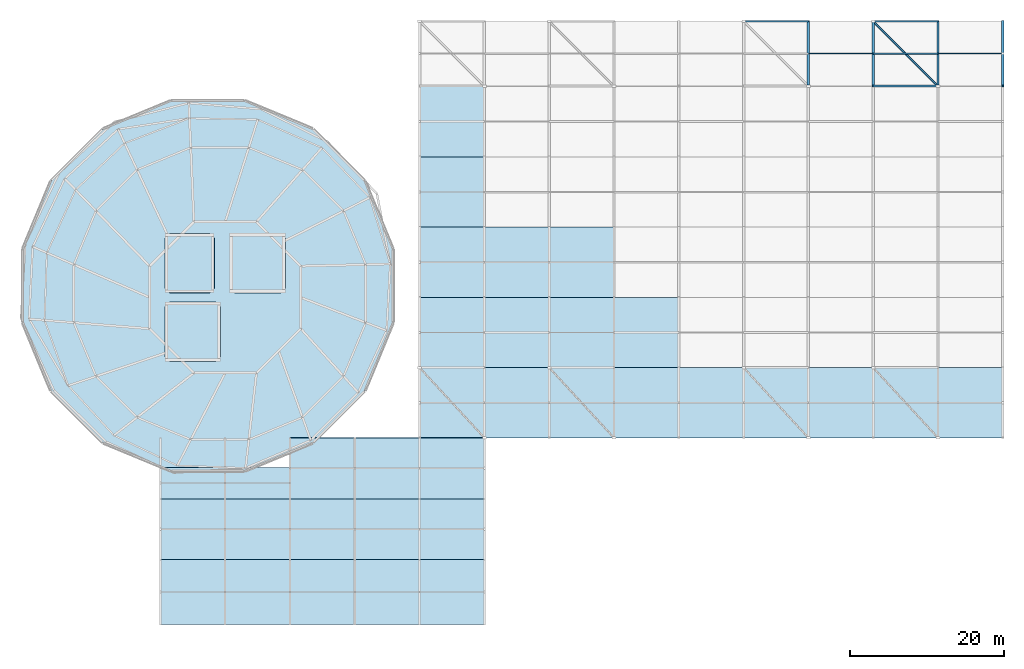
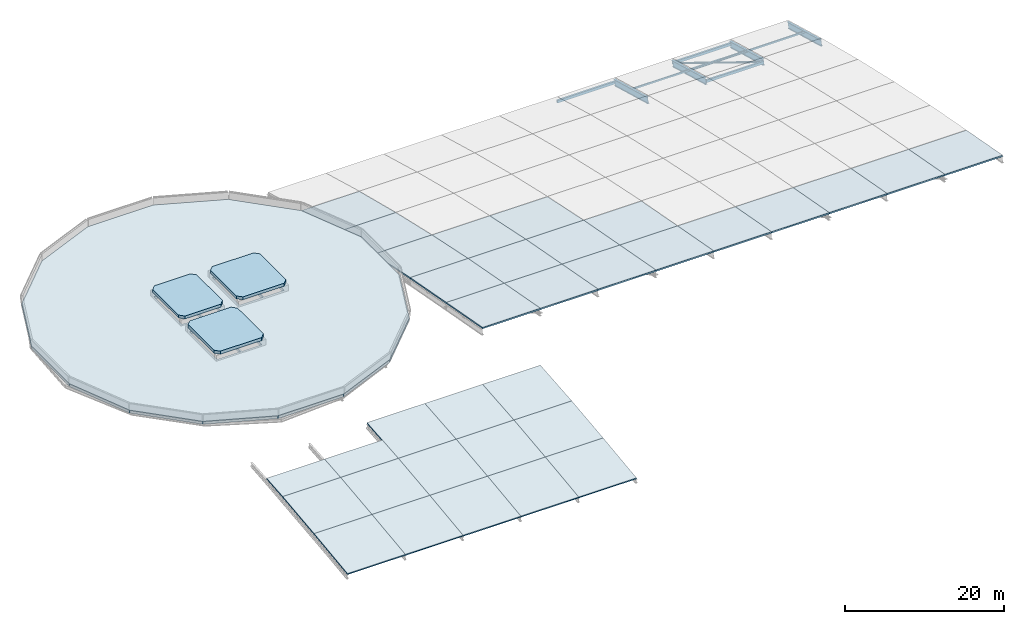
# One storey, part 5 of 12: 37 slabs, 7 members, 4 beams, 15 elements without a shape of their own.
"""IFC4 building model written with IfcOpenShell, lengths in metres."""

from ifc_helpers import new_model, si_unit, derived_unit, direction, frame, origin, origin_2d, place, context, subcontext, project, spatial, polyline, hollow_rectangle, hollow_circle, i_section, outline, extrude, material, layer, layer_set, material_profile, profile_set, type_object, element, aggregate, save


model = new_model("IFC4")

# Units and contexts
model_context = context("Model", 3, precision=1e-05, world=origin(), true_north=direction((0.0, 1.0)))
body_context = subcontext(model_context, "Body", "Model", "MODEL_VIEW")
ifc_project = project(units=[si_unit("LENGTHUNIT", "METRE"), si_unit("AREAUNIT", "SQUARE_METRE"), si_unit("VOLUMEUNIT", "CUBIC_METRE"), si_unit("PLANEANGLEUNIT", "RADIAN"), si_unit("MASSUNIT", "GRAM", prefix="KILO"), derived_unit("THERMALTRANSMITTANCEUNIT", [(si_unit("MASSUNIT", "GRAM", prefix="KILO"), 1), (si_unit("TIMEUNIT", "SECOND"), -3), (si_unit("THERMODYNAMICTEMPERATUREUNIT", "KELVIN"), -1)])], contexts=[model_context])

# Site, building, storey
site_placement = place(None, origin())
site = spatial("IfcSite", under=ifc_project, at=site_placement, CompositionType="ELEMENT")
building_placement = place(site_placement, origin())
building = spatial("IfcBuilding", under=site, at=building_placement, Name="Makaiwela Harbour Ferry Terminal", CompositionType="ELEMENT")
storey_placement = place(building_placement, frame((0.0, 0.0, 25.5)))
storey = spatial("IfcBuildingStorey", under=building, at=storey_placement, Name="ROOF", CompositionType="ELEMENT", Elevation=25.5)

# Beams
ifc_material_1 = material(Name="Steel ASTM A992 Grade 50", Category="steel")
ifc_material_profile_1 = material_profile(ifc_material_1, i_section(OverallWidth=0.306884765625, OverallDepth=0.927001953125, WebThickness=0.019287109375, FlangeThickness=0.031982421875, at=origin_2d()), Name="W36X194")
ifc_profile_set_1 = profile_set([ifc_material_profile_1], Name="Steel ASTM A992 Grade 50")
beam_type = type_object("IfcBeamType", Name="STR-ARC-W36X194", PredefinedType="USERDEFINED", material=ifc_profile_set_1)
for number, where, z_axis, x_axis, name in (
    (1, (113.39990234375, 103.39990234375, -12.99609375), (0.0, -0.963908615898, 0.266233319098), (1.0, 0.0, 0.0), "Departure vault arch rib 15-1"),
    (2, (121.800048828125, 103.39990234375, -12.99609375), (0.0, -0.963908615898, 0.266233319098), (1.0, 0.0, 0.0), "Departure vault arch rib 16-1"),
    (3, (130.199951171875, 103.39990234375, -12.99609375), (0.0, -0.963908615898, 0.266233319098), (1.0, 0.0, 0.0), "Departure vault arch rib 17-1"),
    (4, (138.60009765625, 103.39990234375, -12.99609375), (0.0, -0.963908615898, 0.266233319098), (1.0, 0.0, 0.0), "Departure vault arch rib 18-1"),
):
    element("IfcBeam", number, at=place(storey_placement, frame(where, z_axis=z_axis, x_axis=x_axis)), inside=storey, type_object=beam_type, Name=name, ObjectType="ARCH SEGMENT", PredefinedType="USERDEFINED", context=body_context, shape_type="SweptSolid", body=[
        extrude(i_section(OverallWidth=0.306884765625, OverallDepth=0.927001953125, WebThickness=0.019287109375, FlangeThickness=0.031982421875, at=origin_2d()), origin(), (0.0, 0.0, 1.0), 8.71435546875),
    ])

# Members
ifc_material_2 = material(Name="Steel ASTM A500 Grade C", Category="steel")
ifc_material_profile_2 = material_profile(ifc_material_2, hollow_circle(Radius=0.136474609375, WallThickness=0.0126953125, at=origin_2d()), Name="PIPE10XS")
ifc_profile_set_2 = profile_set([ifc_material_profile_2], Name="Steel ASTM A500 Grade C")
member_type_1 = type_object("IfcMemberType", Name="STR-BRC-PIPE10", PredefinedType="BRACE", material=ifc_profile_set_2)
member_1_placement = place(storey_placement, frame((121.800048828125, 103.39990234375, -12.99609375), z_axis=(0.693994870897, -0.693994870897, 0.191682650065), x_axis=(0.707106781187, 0.707106781187, 0.0)))
element("IfcMember", 5, at=member_1_placement, inside=storey, type_object=member_type_1, Name="Structural Member BR-04", PredefinedType="BRACE", context=body_context, shape_type="SweptSolid", body=[
    extrude(hollow_circle(Radius=0.136474609375, WallThickness=0.0126953125, at=origin_2d()), origin(), (0.0, 0.0, 1.0), 12.103759765625),
])
ifc_material_profile_3 = material_profile(ifc_material_2, hollow_rectangle(XDim=0.25390625, YDim=0.406005859375, WallThickness=0.01171875, at=origin_2d()), Name="HSS16X10X1/2")
ifc_profile_set_3 = profile_set([ifc_material_profile_3], Name="Steel ASTM A500 Grade C")
member_type_2 = type_object("IfcMemberType", Name="STR-CHD-HSS16", PredefinedType="CHORD", material=ifc_profile_set_3)
for number, where, z_axis, x_axis, name in (
    (6, (105.0, 103.39990234375, -12.99609375), (1.0, 0.0, 0.0), (0.0, 1.0, 0.0), "Structural Member CH-01"),
    (7, (121.800048828125, 103.39990234375, -12.99609375), (1.0, 0.0, 0.0), (0.0, 1.0, 0.0), "Structural Member CH-01"),
    (8, (121.800048828125, 95.0, -10.676025390625), (1.0, 0.0, 0.0), (0.0, 1.0, 0.0), "Structural Member CH-01"),
):
    element("IfcMember", number, at=place(storey_placement, frame(where, z_axis=z_axis, x_axis=x_axis)), inside=storey, type_object=member_type_2, Name=name, PredefinedType="CHORD", context=body_context, shape_type="SweptSolid", body=[
        extrude(hollow_rectangle(XDim=0.25390625, YDim=0.406005859375, WallThickness=0.01171875, at=origin_2d()), origin(), (0.0, 0.0, 1.0), 8.39990234375),
    ])
ifc_material_profile_4 = material_profile(ifc_material_2, hollow_rectangle(XDim=0.152099609375, YDim=0.25390625, WallThickness=0.0087890625, at=origin_2d()), Name="HSS10X6X3/8")
ifc_profile_set_4 = profile_set([ifc_material_profile_4], Name="Steel ASTM A500 Grade C")
member_type_3 = type_object("IfcMemberType", Name="STR-PRL-HSS10X6", PredefinedType="PURLIN", material=ifc_profile_set_4)
for number, where, z_axis, x_axis, name in (
    (9, (113.39990234375, 99.199951171875, -11.51953125), (1.0, 0.0, 0.0), (0.0, 1.0, 0.0), "Structural Member PR-01"),
    (10, (130.199951171875, 99.199951171875, -11.51953125), (1.0, 0.0, 0.0), (0.0, 1.0, 0.0), "Structural Member PR-01"),
):
    element("IfcMember", number, at=place(storey_placement, frame(where, z_axis=z_axis, x_axis=x_axis)), inside=storey, type_object=member_type_3, Name=name, PredefinedType="PURLIN", context=body_context, shape_type="SweptSolid", body=[
        extrude(hollow_rectangle(XDim=0.152099609375, YDim=0.25390625, WallThickness=0.0087890625, at=origin_2d()), origin(), (0.0, 0.0, 1.0), 8.400146484375),
    ])
ifc_material_profile_5 = material_profile(ifc_material_1, i_section(OverallWidth=0.205078125, OverallDepth=0.31005859375, WebThickness=0.009521484375, FlangeThickness=0.016357421875, at=origin_2d()), Name="W12X50")
ifc_profile_set_5 = profile_set([ifc_material_profile_5], Name="Steel ASTM A992 Grade 50")
member_type_4 = type_object("IfcMemberType", Name="STR-PRL-W12X50", PredefinedType="PURLIN", material=ifc_profile_set_5)
member_2_placement = place(storey_placement, frame((121.800048828125, 99.199951171875, -11.51953125), z_axis=(1.0, 0.0, 0.0), x_axis=(0.0, 1.0, 0.0)))
element("IfcMember", 11, at=member_2_placement, inside=storey, type_object=member_type_4, Name="Structural Member PR-02", PredefinedType="PURLIN", context=body_context, shape_type="SweptSolid", body=[
    extrude(i_section(OverallWidth=0.205078125, OverallDepth=0.31005859375, WebThickness=0.009521484375, FlangeThickness=0.016357421875, at=origin_2d()), origin(), (0.0, 0.0, 1.0), 8.39990234375),
])

# Roof, slabs
ifc_material_3 = material(Name="Standing-seam marine zinc roofing", Category="aluminium")
ifc_layer_1 = layer(ifc_material_3, 0.199951171875)
ifc_layer_set_1 = layer_set([ifc_layer_1], Name="Standing-seam marine zinc roofing")
roof_type_1 = type_object("IfcRoofType", Name="RF-BARREL-01", PredefinedType="BARREL_ROOF", material=ifc_layer_set_1)
roof_1_placement = place(storey_placement, origin())
roof_1 = element("IfcRoof", 12, at=roof_1_placement, inside=storey, type_object=roof_type_1, Name="Arrivals Hall Barrel Vault Bay 1", PredefinedType="BARREL_ROOF")
ifc_material_4 = material(Name="Concrete f'c 35 MPa (5000 psi)", Category="concrete")
ifc_layer_2 = layer(ifc_material_4, 0.179931640625)
ifc_layer_set_2 = layer_set([ifc_layer_2], Name="Concrete f'c 35 MPa (5000 psi)")
slab_type_1 = type_object("IfcSlabType", Name="SLB-RF-180", PredefinedType="ROOF", material=ifc_layer_set_2)
slab_1_placement = place(storey_placement, frame((29.39990234375, 25.199951171875, -11.699951171875), z_axis=(0.0, -0.124038284054, 0.992277433024), x_axis=(1.0, 0.0, 0.0)))
slab_1 = element("IfcSlab", 13, at=slab_1_placement, type_object=slab_type_1, Name="Vault Roof Slab SLB-105", PredefinedType="ROOF", context=body_context, shape_type="SweptSolid", body=[
    extrude(outline(polyline([(0.0, 0.0), (8.400146484375, 0.0), (8.400146484375, 8.46552204535576), (0.0, 8.46552204535576), (0.0, 0.0)])), origin(), (0.0, 0.0, -1.0), 0.179931640625),
])
slab_2_placement = place(storey_placement, frame((29.39990234375, 33.60009765625, -10.64990234375), z_axis=(0.0, -0.113181133936, 0.993574371107), x_axis=(1.0, 0.0, 0.0)))
slab_2 = element("IfcSlab", 14, at=slab_2_placement, type_object=slab_type_1, Name="Vault Roof Slab SLB-106", PredefinedType="ROOF", context=body_context, shape_type="SweptSolid", body=[
    extrude(outline(polyline([(0.0, 0.0), (8.400146484375, 0.0), (8.400146484375, 7.950992470696567), (0.0, 7.950992470696567), (0.0, 0.0)])), origin(), (0.0, 0.0, -1.0), 0.179931640625),
])
slab_3_placement = place(storey_placement, frame((29.39990234375, 41.5, -9.75), z_axis=(0.0, -0.088267066275, 0.996096845197), x_axis=(1.0, 0.0, 0.0)))
slab_3 = element("IfcSlab", 15, at=slab_3_placement, type_object=slab_type_1, Name="Vault Roof Slab SLB-107", PredefinedType="ROOF", context=body_context, shape_type="SweptSolid", body=[
    extrude(outline(polyline([(0.0, 0.0), (8.400146484375, 0.0), (8.400146484375, 4.065918738377813), (0.0, 4.065918738377813), (0.0, 0.0)])), origin(), (0.0, 0.0, -1.0), 0.179931640625),
])
aggregate(roof_1, [slab_1, slab_2, slab_3])

roof_2_placement = place(storey_placement, origin())
roof_2 = element("IfcRoof", 16, at=roof_2_placement, inside=storey, type_object=roof_type_1, Name="Arrivals Hall Barrel Vault Bay 2", PredefinedType="BARREL_ROOF")
slab_4_placement = place(storey_placement, frame((37.800048828125, 25.199951171875, -11.699951171875), z_axis=(0.0, -0.124038284054, 0.992277433024), x_axis=(1.0, 0.0, 0.0)))
slab_4 = element("IfcSlab", 17, at=slab_4_placement, type_object=slab_type_1, Name="Vault Roof Slab SLB-108", PredefinedType="ROOF", context=body_context, shape_type="SweptSolid", body=[
    extrude(outline(polyline([(0.0, 0.0), (8.39990234375, 0.0), (8.39990234375, 8.46552204535576), (0.0, 8.46552204535576), (0.0, 0.0)])), origin(), (0.0, 0.0, -1.0), 0.179931640625),
])
slab_5_placement = place(storey_placement, frame((37.800048828125, 33.60009765625, -10.64990234375), z_axis=(0.0, -0.113181133936, 0.993574371107), x_axis=(1.0, 0.0, 0.0)))
slab_5 = element("IfcSlab", 18, at=slab_5_placement, type_object=slab_type_1, Name="Vault Roof Slab SLB-109", PredefinedType="ROOF", context=body_context, shape_type="SweptSolid", body=[
    extrude(outline(polyline([(0.0, 0.0), (8.39990234375, 0.0), (8.39990234375, 7.9509924706965664), (0.0, 7.9509924706965664), (0.0, 0.0)])), origin(), (0.0, 0.0, -1.0), 0.179931640625),
])
slab_6_placement = place(storey_placement, frame((37.800048828125, 41.5, -9.75), z_axis=(0.0, -0.088267066275, 0.996096845197), x_axis=(1.0, 0.0, 0.0)))
slab_6 = element("IfcSlab", 19, at=slab_6_placement, type_object=slab_type_1, Name="Vault Roof Slab SLB-110", PredefinedType="ROOF", context=body_context, shape_type="SweptSolid", body=[
    extrude(outline(polyline([(0.0, 0.0), (8.39990234375, 0.0), (8.39990234375, 4.065918738377814), (0.0, 4.065918738377814), (0.0, 0.0)])), origin(), (0.0, 0.0, -1.0), 0.179931640625),
])
aggregate(roof_2, [slab_4, slab_5, slab_6])

roof_3_placement = place(storey_placement, origin())
roof_3 = element("IfcRoof", 20, at=roof_3_placement, inside=storey, type_object=roof_type_1, Name="Arrivals Hall Barrel Vault Bay 3", PredefinedType="BARREL_ROOF")
slab_7_placement = place(storey_placement, frame((46.199951171875, 25.199951171875, -11.699951171875), z_axis=(0.0, -0.124038284054, 0.992277433024), x_axis=(1.0, 0.0, 0.0)))
slab_7 = element("IfcSlab", 21, at=slab_7_placement, type_object=slab_type_1, Name="Vault Roof Slab SLB-111", PredefinedType="ROOF", context=body_context, shape_type="SweptSolid", body=[
    extrude(outline(polyline([(0.0, 0.0), (8.400146484375, 0.0), (8.400146484375, 8.46552204535576), (0.0, 8.46552204535576), (0.0, 0.0)])), origin(), (0.0, 0.0, -1.0), 0.179931640625),
])
slab_8_placement = place(storey_placement, frame((46.199951171875, 33.60009765625, -10.64990234375), z_axis=(0.0, -0.113181133936, 0.993574371107), x_axis=(1.0, 0.0, 0.0)))
slab_8 = element("IfcSlab", 22, at=slab_8_placement, type_object=slab_type_1, Name="Vault Roof Slab SLB-112", PredefinedType="ROOF", context=body_context, shape_type="SweptSolid", body=[
    extrude(outline(polyline([(0.0, 0.0), (8.400146484375, 0.0), (8.400146484375, 7.950992470696567), (0.0, 7.950992470696567), (0.0, 0.0)])), origin(), (0.0, 0.0, -1.0), 0.179931640625),
])
slab_9_placement = place(storey_placement, frame((46.199951171875, 41.5, -9.75), z_axis=(0.0, -0.088256761021, 0.996097758322), x_axis=(1.0, 0.0, 0.0)))
slab_9 = element("IfcSlab", 23, at=slab_9_placement, type_object=slab_type_1, Name="Vault Roof Slab SLB-113", PredefinedType="ROOF", context=body_context, shape_type="SweptSolid", body=[
    extrude(outline(polyline([(0.0, 0.0), (8.400146484375, 0.0), (8.400146484375, 7.930850438874505), (0.0, 7.930850438874505), (0.0, 0.0)])), origin(), (0.0, 0.0, -1.0), 0.179931640625),
])
aggregate(roof_3, [slab_7, slab_8, slab_9])

roof_4_placement = place(storey_placement, origin())
roof_4 = element("IfcRoof", 24, at=roof_4_placement, inside=storey, type_object=roof_type_1, Name="Arrivals Hall Barrel Vault Bay 4", PredefinedType="BARREL_ROOF")
slab_10_placement = place(storey_placement, frame((54.60009765625, 25.199951171875, -11.699951171875), z_axis=(0.0, -0.124038284054, 0.992277433024), x_axis=(1.0, 0.0, 0.0)))
slab_10 = element("IfcSlab", 25, at=slab_10_placement, type_object=slab_type_1, Name="Vault Roof Slab SLB-114", PredefinedType="ROOF", context=body_context, shape_type="SweptSolid", body=[
    extrude(outline(polyline([(0.0, 0.0), (8.39990234375, 0.0), (8.39990234375, 8.46552204535576), (0.0, 8.46552204535576), (0.0, 0.0)])), origin(), (0.0, 0.0, -1.0), 0.179931640625),
])
slab_11_placement = place(storey_placement, frame((54.60009765625, 33.60009765625, -10.64990234375), z_axis=(0.0, -0.113181133936, 0.993574371107), x_axis=(1.0, 0.0, 0.0)))
slab_11 = element("IfcSlab", 26, at=slab_11_placement, type_object=slab_type_1, Name="Vault Roof Slab SLB-115", PredefinedType="ROOF", context=body_context, shape_type="SweptSolid", body=[
    extrude(outline(polyline([(0.0, 0.0), (8.39990234375, 0.0), (8.39990234375, 7.9509924706965664), (0.0, 7.9509924706965664), (0.0, 0.0)])), origin(), (0.0, 0.0, -1.0), 0.179931640625),
])
slab_12_placement = place(storey_placement, frame((54.60009765625, 41.5, -9.75), z_axis=(0.0, -0.088256761021, 0.996097758322), x_axis=(1.0, 0.0, 0.0)))
slab_12 = element("IfcSlab", 27, at=slab_12_placement, type_object=slab_type_1, Name="Vault Roof Slab SLB-116", PredefinedType="ROOF", context=body_context, shape_type="SweptSolid", body=[
    extrude(outline(polyline([(0.0, 0.0), (8.39990234375, 0.0), (8.39990234375, 7.930850438874506), (0.0, 7.930850438874506), (0.0, 0.0)])), origin(), (0.0, 0.0, -1.0), 0.179931640625),
])
aggregate(roof_4, [slab_10, slab_11, slab_12])

roof_5_placement = place(storey_placement, origin())
roof_5 = element("IfcRoof", 28, at=roof_5_placement, inside=storey, type_object=roof_type_1, Name="Arrivals Hall Barrel Vault Bay 5", PredefinedType="BARREL_ROOF")
slab_13_placement = place(storey_placement, frame((63.0, 25.199951171875, -11.699951171875), z_axis=(0.0, -0.124038284054, 0.992277433024), x_axis=(1.0, 0.0, 0.0)))
slab_13 = element("IfcSlab", 29, at=slab_13_placement, type_object=slab_type_1, Name="Vault Roof Slab SLB-117", PredefinedType="ROOF", context=body_context, shape_type="SweptSolid", body=[
    extrude(outline(polyline([(0.0, 0.0), (8.39990234375, 0.0), (8.39990234375, 8.46552204535576), (0.0, 8.46552204535576), (0.0, 0.0)])), origin(), (0.0, 0.0, -1.0), 0.179931640625),
])
slab_14_placement = place(storey_placement, frame((63.0, 33.60009765625, -10.64990234375), z_axis=(0.0, -0.113181133936, 0.993574371107), x_axis=(1.0, 0.0, 0.0)))
slab_14 = element("IfcSlab", 30, at=slab_14_placement, type_object=slab_type_1, Name="Vault Roof Slab SLB-118", PredefinedType="ROOF", context=body_context, shape_type="SweptSolid", body=[
    extrude(outline(polyline([(0.0, 0.0), (8.39990234375, 0.0), (8.39990234375, 7.9509924706965664), (0.0, 7.9509924706965664), (0.0, 0.0)])), origin(), (0.0, 0.0, -1.0), 0.179931640625),
])
slab_15_placement = place(storey_placement, frame((63.0, 41.5, -9.75), z_axis=(0.0, -0.088256761021, 0.996097758322), x_axis=(1.0, 0.0, 0.0)))
slab_15 = element("IfcSlab", 31, at=slab_15_placement, type_object=slab_type_1, Name="Vault Roof Slab SLB-119", PredefinedType="ROOF", context=body_context, shape_type="SweptSolid", body=[
    extrude(outline(polyline([(0.0, 0.0), (8.39990234375, 0.0), (8.39990234375, 7.930850438874506), (0.0, 7.930850438874506), (0.0, 0.0)])), origin(), (0.0, 0.0, -1.0), 0.179931640625),
])
aggregate(roof_5, [slab_13, slab_14, slab_15])

roof_6_placement = place(storey_placement, origin())
roof_6 = element("IfcRoof", 32, at=roof_6_placement, inside=storey, type_object=roof_type_1, Name="Departure Hall Barrel Vault Bay 1", PredefinedType="BARREL_ROOF")
ifc_layer_3 = layer(ifc_material_4, 0.199951171875)
ifc_layer_set_3 = layer_set([ifc_layer_3], Name="Concrete f'c 35 MPa (5000 psi)")
slab_type_2 = type_object("IfcSlabType", Name="SLB-RF-200", PredefinedType="ROOF", material=ifc_layer_set_3)
slab_16_placement = place(storey_placement, frame((63.0, 85.800048828125, -7.659912109375), z_axis=(0.0, 0.244527039471, 0.969642473785), x_axis=(1.0, 0.0, 0.0)))
slab_16 = element("IfcSlab", 33, at=slab_16_placement, type_object=slab_type_2, Name="Vault Roof Slab SLB-052", PredefinedType="ROOF", context=body_context, shape_type="SweptSolid", body=[
    extrude(outline(polyline([(0.0, 0.0), (8.39990234375, 0.0), (8.39990234375, 9.48798286028475), (0.0, 9.48798286028475), (0.0, 0.0)])), origin(), (0.0, 0.0, -1.0), 0.199951171875),
])
slab_17_placement = place(storey_placement, frame((63.0, 76.699951171875, -5.580078125), z_axis=(0.0, 0.222805627295, 0.974862889049), x_axis=(1.0, 0.0, 0.0)))
slab_17 = element("IfcSlab", 34, at=slab_17_placement, type_object=slab_type_2, Name="Vault Roof Slab SLB-053", PredefinedType="ROOF", context=body_context, shape_type="SweptSolid", body=[
    extrude(outline(polyline([(0.0, 0.0), (8.39990234375, 0.0), (8.39990234375, 9.334746207361395), (0.0, 9.334746207361395), (0.0, 0.0)])), origin(), (0.0, 0.0, -1.0), 0.199951171875),
])
slab_18_placement = place(storey_placement, frame((63.0, 67.60009765625, -3.679931640625), z_axis=(0.0, 0.204402052135, 0.978887021613), x_axis=(1.0, 0.0, 0.0)))
slab_18 = element("IfcSlab", 35, at=slab_18_placement, type_object=slab_type_2, Name="Vault Roof Slab SLB-054", PredefinedType="ROOF", context=body_context, shape_type="SweptSolid", body=[
    extrude(outline(polyline([(0.0, 0.0), (8.39990234375, 0.0), (8.39990234375, 9.296122345791032), (0.0, 9.296122345791032), (0.0, 0.0)])), origin(), (0.0, 0.0, -1.0), 0.199951171875),
])
slab_19_placement = place(storey_placement, frame((63.0, 58.5, -1.97998046875), z_axis=(0.0, 0.183629289337, 0.982995566672), x_axis=(1.0, 0.0, 0.0)))
slab_19 = element("IfcSlab", 36, at=slab_19_placement, type_object=slab_type_2, Name="Vault Roof Slab SLB-055", PredefinedType="ROOF", context=body_context, shape_type="SweptSolid", body=[
    extrude(outline(polyline([(0.0, 0.0), (8.39990234375, 0.0), (8.39990234375, 9.257516477978633), (0.0, 9.257516477978633), (0.0, 0.0)])), origin(), (0.0, 0.0, -1.0), 0.199951171875),
])
slab_20_placement = place(storey_placement, frame((63.0, 49.39990234375, -0.300048828125), z_axis=(0.0, 0.181538451767, 0.983383846995), x_axis=(1.0, 0.0, 0.0)))
slab_20 = element("IfcSlab", 37, at=slab_20_placement, type_object=slab_type_2, Name="Vault Roof Slab SLB-056", PredefinedType="ROOF", context=body_context, shape_type="SweptSolid", body=[
    extrude(outline(polyline([(0.0, 0.0), (8.39990234375, 0.0), (8.39990234375, 9.253861230343782), (0.0, 9.253861230343782), (0.0, 0.0)])), origin(), (0.0, 0.0, -1.0), 0.199951171875),
])
aggregate(roof_6, [slab_16, slab_17, slab_18, slab_19, slab_20])

roof_7_placement = place(storey_placement, origin())
roof_7 = element("IfcRoof", 38, at=roof_7_placement, inside=storey, type_object=roof_type_1, Name="Departure Hall Barrel Vault Bay 2", PredefinedType="BARREL_ROOF")
slab_21_placement = place(storey_placement, frame((71.39990234375, 67.60009765625, -3.679931640625), z_axis=(0.0, 0.204402052135, 0.978887021613), x_axis=(1.0, 0.0, 0.0)))
slab_21 = element("IfcSlab", 39, at=slab_21_placement, type_object=slab_type_2, Name="Vault Roof Slab SLB-060", PredefinedType="ROOF", context=body_context, shape_type="SweptSolid", body=[
    extrude(outline(polyline([(0.0, 0.0), (8.400146484375, 0.0), (8.400146484375, 9.296122345791032), (0.0, 9.296122345791032), (0.0, 0.0)])), origin(), (0.0, 0.0, -1.0), 0.199951171875),
])
slab_22_placement = place(storey_placement, frame((71.39990234375, 58.5, -1.97998046875), z_axis=(0.0, 0.183629289337, 0.982995566672), x_axis=(1.0, 0.0, 0.0)))
slab_22 = element("IfcSlab", 40, at=slab_22_placement, type_object=slab_type_2, Name="Vault Roof Slab SLB-061", PredefinedType="ROOF", context=body_context, shape_type="SweptSolid", body=[
    extrude(outline(polyline([(0.0, 0.0), (8.400146484375, 0.0), (8.400146484375, 9.257516477978635), (0.0, 9.257516477978635), (0.0, 0.0)])), origin(), (0.0, 0.0, -1.0), 0.199951171875),
])
slab_23_placement = place(storey_placement, frame((71.39990234375, 49.39990234375, -0.300048828125), z_axis=(0.0, 0.181538451767, 0.983383846995), x_axis=(1.0, 0.0, 0.0)))
slab_23 = element("IfcSlab", 41, at=slab_23_placement, type_object=slab_type_2, Name="Vault Roof Slab SLB-062", PredefinedType="ROOF", context=body_context, shape_type="SweptSolid", body=[
    extrude(outline(polyline([(0.0, 0.0), (8.400146484375, 0.0), (8.400146484375, 9.253861230343782), (0.0, 9.253861230343782), (0.0, 0.0)])), origin(), (0.0, 0.0, -1.0), 0.199951171875),
])
aggregate(roof_7, [slab_21, slab_22, slab_23])

roof_8_placement = place(storey_placement, origin())
roof_8 = element("IfcRoof", 42, at=roof_8_placement, inside=storey, type_object=roof_type_1, Name="Departure Hall Barrel Vault Bay 3", PredefinedType="BARREL_ROOF")
slab_24_placement = place(storey_placement, frame((79.800048828125, 67.60009765625, -3.679931640625), z_axis=(0.0, 0.204402052135, 0.978887021613), x_axis=(1.0, 0.0, 0.0)))
slab_24 = element("IfcSlab", 43, at=slab_24_placement, type_object=slab_type_2, Name="Vault Roof Slab SLB-066", PredefinedType="ROOF", context=body_context, shape_type="SweptSolid", body=[
    extrude(outline(polyline([(0.0, 0.0), (8.39990234375, 0.0), (8.39990234375, 9.296122345791032), (0.0, 9.296122345791032), (0.0, 0.0)])), origin(), (0.0, 0.0, -1.0), 0.199951171875),
])
slab_25_placement = place(storey_placement, frame((79.800048828125, 58.5, -1.97998046875), z_axis=(0.0, 0.183629289337, 0.982995566672), x_axis=(1.0, 0.0, 0.0)))
slab_25 = element("IfcSlab", 44, at=slab_25_placement, type_object=slab_type_2, Name="Vault Roof Slab SLB-067", PredefinedType="ROOF", context=body_context, shape_type="SweptSolid", body=[
    extrude(outline(polyline([(0.0, 0.0), (8.39990234375, 0.0), (8.39990234375, 9.257516477978633), (0.0, 9.257516477978633), (0.0, 0.0)])), origin(), (0.0, 0.0, -1.0), 0.199951171875),
])
slab_26_placement = place(storey_placement, frame((79.800048828125, 49.39990234375, -0.300048828125), z_axis=(0.0, 0.181538451767, 0.983383846995), x_axis=(1.0, 0.0, 0.0)))
slab_26 = element("IfcSlab", 45, at=slab_26_placement, type_object=slab_type_2, Name="Vault Roof Slab SLB-068", PredefinedType="ROOF", context=body_context, shape_type="SweptSolid", body=[
    extrude(outline(polyline([(0.0, 0.0), (8.39990234375, 0.0), (8.39990234375, 9.253861230343782), (0.0, 9.253861230343782), (0.0, 0.0)])), origin(), (0.0, 0.0, -1.0), 0.199951171875),
])
aggregate(roof_8, [slab_24, slab_25, slab_26])

roof_9_placement = place(storey_placement, origin())
roof_9 = element("IfcRoof", 46, at=roof_9_placement, inside=storey, type_object=roof_type_1, Name="Departure Hall Barrel Vault Bay 4", PredefinedType="BARREL_ROOF")
slab_27_placement = place(storey_placement, frame((88.199951171875, 58.5, -1.97998046875), z_axis=(0.0, 0.183629289337, 0.982995566672), x_axis=(1.0, 0.0, 0.0)))
slab_27 = element("IfcSlab", 47, at=slab_27_placement, type_object=slab_type_2, Name="Vault Roof Slab SLB-073", PredefinedType="ROOF", context=body_context, shape_type="SweptSolid", body=[
    extrude(outline(polyline([(0.0, 0.0), (8.400146484375, 0.0), (8.400146484375, 9.257516477978635), (0.0, 9.257516477978635), (0.0, 0.0)])), origin(), (0.0, 0.0, -1.0), 0.199951171875),
])
slab_28_placement = place(storey_placement, frame((88.199951171875, 49.39990234375, -0.300048828125), z_axis=(0.0, 0.181538451767, 0.983383846995), x_axis=(1.0, 0.0, 0.0)))
slab_28 = element("IfcSlab", 48, at=slab_28_placement, type_object=slab_type_2, Name="Vault Roof Slab SLB-074", PredefinedType="ROOF", context=body_context, shape_type="SweptSolid", body=[
    extrude(outline(polyline([(0.0, 0.0), (8.400146484375, 0.0), (8.400146484375, 9.253861230343782), (0.0, 9.253861230343782), (0.0, 0.0)])), origin(), (0.0, 0.0, -1.0), 0.199951171875),
])
aggregate(roof_9, [slab_27, slab_28])

# Roof, slab
roof_10_placement = place(storey_placement, origin())
roof_10 = element("IfcRoof", 49, at=roof_10_placement, inside=storey, type_object=roof_type_1, Name="Departure Hall Barrel Vault Bay 5", PredefinedType="BARREL_ROOF")
slab_29_placement = place(storey_placement, frame((96.60009765625, 49.39990234375, -0.300048828125), z_axis=(0.0, 0.181538451767, 0.983383846995), x_axis=(1.0, 0.0, 0.0)))
slab_29 = element("IfcSlab", 50, at=slab_29_placement, type_object=slab_type_2, Name="Vault Roof Slab SLB-080", PredefinedType="ROOF", context=body_context, shape_type="SweptSolid", body=[
    extrude(outline(polyline([(0.0, 0.0), (8.39990234375, 0.0), (8.39990234375, 9.253861230343782), (0.0, 9.253861230343782), (0.0, 0.0)])), origin(), (0.0, 0.0, -1.0), 0.199951171875),
])
aggregate(roof_10, [slab_29])

roof_11_placement = place(storey_placement, origin())
roof_11 = element("IfcRoof", 51, at=roof_11_placement, inside=storey, type_object=roof_type_1, Name="Departure Hall Barrel Vault Bay 6", PredefinedType="BARREL_ROOF")
slab_30_placement = place(storey_placement, frame((105.0, 49.39990234375, -0.300048828125), z_axis=(0.0, 0.181538451767, 0.983383846995), x_axis=(1.0, 0.0, 0.0)))
slab_30 = element("IfcSlab", 52, at=slab_30_placement, type_object=slab_type_2, Name="Vault Roof Slab SLB-086", PredefinedType="ROOF", context=body_context, shape_type="SweptSolid", body=[
    extrude(outline(polyline([(0.0, 0.0), (8.39990234375, 0.0), (8.39990234375, 9.253861230343782), (0.0, 9.253861230343782), (0.0, 0.0)])), origin(), (0.0, 0.0, -1.0), 0.199951171875),
])
aggregate(roof_11, [slab_30])

roof_12_placement = place(storey_placement, origin())
roof_12 = element("IfcRoof", 53, at=roof_12_placement, inside=storey, type_object=roof_type_1, Name="Departure Hall Barrel Vault Bay 7", PredefinedType="BARREL_ROOF")
slab_31_placement = place(storey_placement, frame((113.39990234375, 49.39990234375, -0.300048828125), z_axis=(0.0, 0.181538451767, 0.983383846995), x_axis=(1.0, 0.0, 0.0)))
slab_31 = element("IfcSlab", 54, at=slab_31_placement, type_object=slab_type_2, Name="Vault Roof Slab SLB-092", PredefinedType="ROOF", context=body_context, shape_type="SweptSolid", body=[
    extrude(outline(polyline([(0.0, 0.0), (8.400146484375, 0.0), (8.400146484375, 9.253861230343782), (0.0, 9.253861230343782), (0.0, 0.0)])), origin(), (0.0, 0.0, -1.0), 0.199951171875),
])
aggregate(roof_12, [slab_31])

roof_13_placement = place(storey_placement, origin())
roof_13 = element("IfcRoof", 55, at=roof_13_placement, inside=storey, type_object=roof_type_1, Name="Departure Hall Barrel Vault Bay 8", PredefinedType="BARREL_ROOF")
slab_32_placement = place(storey_placement, frame((121.800048828125, 49.39990234375, -0.300048828125), z_axis=(0.0, 0.181538451767, 0.983383846995), x_axis=(1.0, 0.0, 0.0)))
slab_32 = element("IfcSlab", 56, at=slab_32_placement, type_object=slab_type_2, Name="Vault Roof Slab SLB-098", PredefinedType="ROOF", context=body_context, shape_type="SweptSolid", body=[
    extrude(outline(polyline([(0.0, 0.0), (8.39990234375, 0.0), (8.39990234375, 9.253861230343782), (0.0, 9.253861230343782), (0.0, 0.0)])), origin(), (0.0, 0.0, -1.0), 0.199951171875),
])
aggregate(roof_13, [slab_32])

roof_14_placement = place(storey_placement, origin())
roof_14 = element("IfcRoof", 57, at=roof_14_placement, inside=storey, type_object=roof_type_1, Name="Departure Hall Barrel Vault Bay 9", PredefinedType="BARREL_ROOF")
slab_33_placement = place(storey_placement, frame((130.199951171875, 49.39990234375, -0.300048828125), z_axis=(0.0, 0.181538451767, 0.983383846995), x_axis=(1.0, 0.0, 0.0)))
slab_33 = element("IfcSlab", 58, at=slab_33_placement, type_object=slab_type_2, Name="Vault Roof Slab SLB-104", PredefinedType="ROOF", context=body_context, shape_type="SweptSolid", body=[
    extrude(outline(polyline([(0.0, 0.0), (8.400146484375, 0.0), (8.400146484375, 9.253861230343782), (0.0, 9.253861230343782), (0.0, 0.0)])), origin(), (0.0, 0.0, -1.0), 0.199951171875),
])
aggregate(roof_14, [slab_33])

ifc_layer_4 = layer(ifc_material_3, 0.219970703125)
ifc_layer_set_4 = layer_set([ifc_layer_4], Name="Standing-seam marine zinc roofing")
roof_type_2 = type_object("IfcRoofType", Name="RF-FLAT-01", PredefinedType="FLAT_ROOF", material=ifc_layer_set_4)
roof_15_placement = place(storey_placement, origin())
roof_15 = element("IfcRoof", 59, at=roof_15_placement, inside=storey, type_object=roof_type_2, Name="Roof Assembly RF-01", PredefinedType="FLAT_ROOF")
ifc_layer_5 = layer(ifc_material_4, 0.419921875)
ifc_layer_set_5 = layer_set([ifc_layer_5], Name="Concrete f'c 35 MPa (5000 psi)")
slab_type_3 = type_object("IfcSlabType", Name="SLB-RF-420", PredefinedType="ROOF", material=ifc_layer_set_5)
slab_34_placement = place(storey_placement, frame((0.0, 0.0, -0.419921875)))
slab_34 = element("IfcSlab", 60, at=slab_34_placement, type_object=slab_type_3, Name="Slab SLB-047", PredefinedType="ROOF", context=body_context, shape_type="SweptSolid", body=[
    extrude(outline(polyline([(59.5302734375, 73.8701171875), (55.87939453125, 82.68359375), (49.1337890625, 89.429443359375), (40.320068359375, 93.080078125), (30.780029296875, 93.080078125), (21.96630859375, 89.429443359375), (15.220703125, 82.68359375), (11.56982421875, 73.8701171875), (11.56982421875, 64.330078125), (15.220703125, 55.516357421875), (21.96630859375, 48.7705078125), (30.780029296875, 45.119873046875), (40.320068359375, 45.119873046875), (49.1337890625, 48.7705078125), (55.87939453125, 55.516357421875), (59.5302734375, 64.330078125), (59.5302734375, 73.8701171875)]), holes=[polyline([(38.794921875, 68.594970703125), (38.794921875, 75.5048828125), (42.14208984375, 75.5048828125), (42.14208984375, 68.594970703125), (38.794921875, 68.594970703125)]), polyline([(42.35205078125, 68.594970703125), (42.35205078125, 75.5048828125), (45.205078125, 75.5048828125), (45.205078125, 68.594970703125), (42.35205078125, 68.594970703125)]), polyline([(30.3701171875, 59.669921875), (30.3701171875, 66.6298828125), (33.741943359375, 66.6298828125), (33.741943359375, 59.669921875), (30.3701171875, 59.669921875)]), polyline([(33.951904296875, 59.669921875), (33.951904296875, 66.6298828125), (36.830078125, 66.6298828125), (36.830078125, 59.669921875), (33.951904296875, 59.669921875)]), polyline([(30.35009765625, 68.550048828125), (30.35009765625, 75.550048828125), (33.31005859375, 75.550048828125), (33.31005859375, 68.550048828125), (30.35009765625, 68.550048828125)]), polyline([(33.52001953125, 68.550048828125), (33.52001953125, 75.550048828125), (36.050048828125, 75.550048828125), (36.050048828125, 68.550048828125), (33.52001953125, 68.550048828125)])]), origin(), (0.0, 0.0, 1.0), 0.419921875),
])
aggregate(roof_15, [slab_34])

# Slabs
ifc_layer_6 = layer(ifc_material_4, 0.449951171875)
ifc_layer_set_6 = layer_set([ifc_layer_6], Name="Concrete f'c 35 MPa (5000 psi)")
slab_type_4 = type_object("IfcSlabType", Name="SLB-RF-450", PredefinedType="ROOF", material=ifc_layer_set_6)
slab_35_placement = place(storey_placement, frame((0.0, 0.0, 0.949951171875)))
element("IfcSlab", 61, at=slab_35_placement, inside=storey, type_object=slab_type_4, Name="Slab SLB-048", PredefinedType="ROOF", context=body_context, shape_type="SweptSolid", body=[
    extrude(outline(polyline([(39.0, 68.199951171875), (45.0, 68.199951171875), (45.60009765625, 68.800048828125), (45.60009765625, 75.300048828125), (45.0, 75.89990234375), (39.0, 75.89990234375), (38.39990234375, 75.300048828125), (38.39990234375, 68.800048828125), (39.0, 68.199951171875)])), origin(), (0.0, 0.0, 1.0), 0.449951171875),
])
slab_36_placement = place(storey_placement, frame((0.0, 0.0, 0.949951171875)))
element("IfcSlab", 62, at=slab_36_placement, inside=storey, type_object=slab_type_4, Name="Slab SLB-050", PredefinedType="ROOF", context=body_context, shape_type="SweptSolid", body=[
    extrude(outline(polyline([(30.60009765625, 68.199951171875), (35.800048828125, 68.199951171875), (36.39990234375, 68.800048828125), (36.39990234375, 75.300048828125), (35.800048828125, 75.89990234375), (30.60009765625, 75.89990234375), (30.0, 75.300048828125), (30.0, 68.800048828125), (30.60009765625, 68.199951171875)])), origin(), (0.0, 0.0, 1.0), 0.449951171875),
])
ifc_layer_7 = layer(ifc_material_4, 0.47998046875)
ifc_layer_set_7 = layer_set([ifc_layer_7], Name="Concrete f'c 35 MPa (5000 psi)")
slab_type_5 = type_object("IfcSlabType", Name="SLB-RF-480", PredefinedType="ROOF", material=ifc_layer_set_7)
slab_37_placement = place(storey_placement, frame((0.0, 0.0, 0.919921875)))
element("IfcSlab", 63, at=slab_37_placement, inside=storey, type_object=slab_type_5, Name="Slab SLB-049", PredefinedType="ROOF", context=body_context, shape_type="SweptSolid", body=[
    extrude(outline(polyline([(30.60009765625, 59.300048828125), (36.60009765625, 59.300048828125), (37.199951171875, 59.89990234375), (37.199951171875, 66.39990234375), (36.60009765625, 67.0), (30.60009765625, 67.0), (30.0, 66.39990234375), (30.0, 59.89990234375), (30.60009765625, 59.300048828125)])), origin(), (0.0, 0.0, 1.0), 0.47998046875),
])

save(model, "model.ifc")
